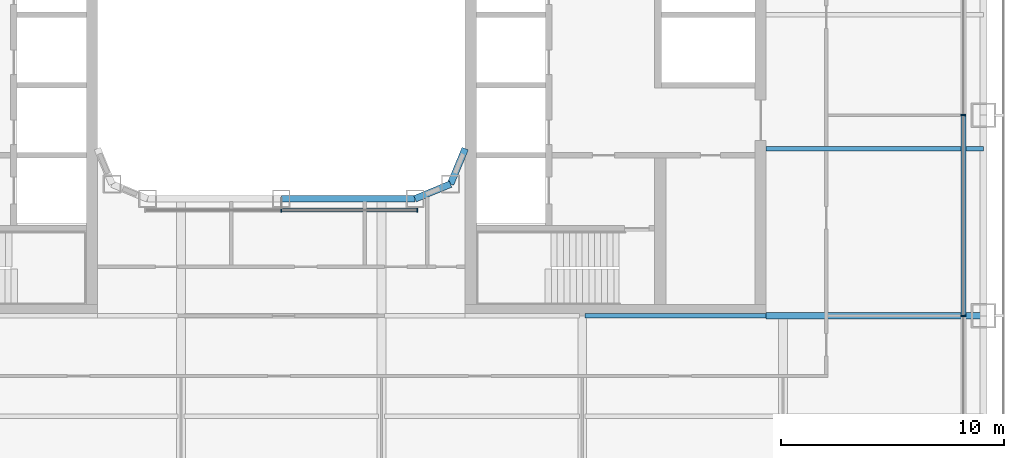
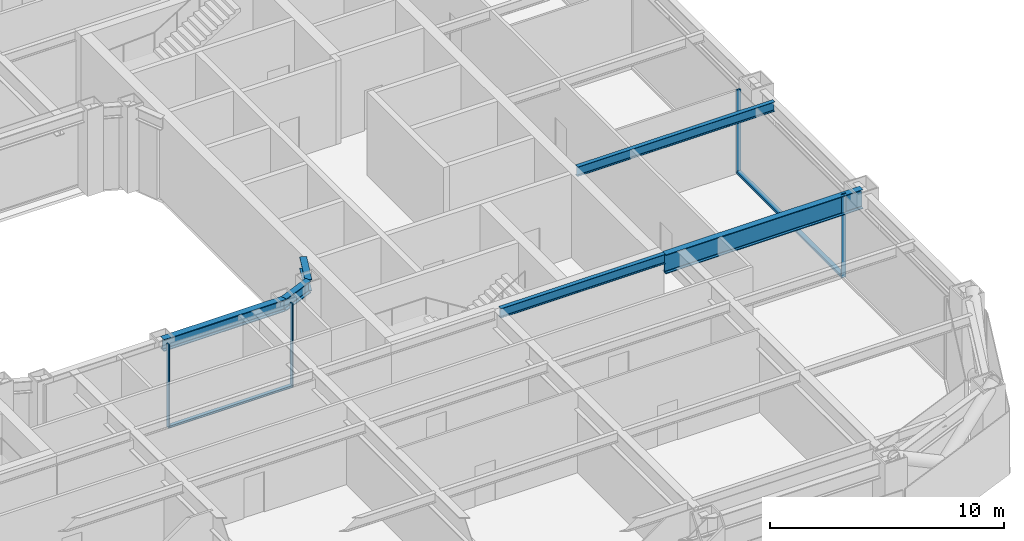
# One storey, part 5 of 27: 6 beams, 6 members, 2 elements without a shape of their own.
"""IFC4 building model written with IfcOpenShell, lengths in metres."""

from ifc_helpers import new_model, si_unit, direction, frame, origin, origin_2d, place, context, subcontext, project, spatial, rectangle, i_section, extrude, material, layer, layer_set, material_profile, profile_set, type_object, element, aggregate, save


model = new_model("IFC4")

# Units and contexts
model_context = context("Model", 3, precision=1e-05, world=origin(), true_north=direction((0.0, 1.0)))
body_context = subcontext(model_context, "Body", "Model", "MODEL_VIEW")
ifc_project = project(units=[si_unit("LENGTHUNIT", "METRE"), si_unit("AREAUNIT", "SQUARE_METRE"), si_unit("VOLUMEUNIT", "CUBIC_METRE"), si_unit("PLANEANGLEUNIT", "RADIAN"), si_unit("MASSUNIT", "GRAM", prefix="KILO")], contexts=[model_context])

# Site, building, storey
site_placement = place(None, origin())
site = spatial("IfcSite", under=ifc_project, at=site_placement, CompositionType="ELEMENT")
building_placement = place(site_placement, origin())
building = spatial("IfcBuilding", under=site, at=building_placement, Name="Siwar Civic Tower", CompositionType="ELEMENT")
storey_placement = place(building_placement, frame((0.0, 0.0, 35.699951171875)))
storey = spatial("IfcBuildingStorey", under=building, at=storey_placement, Name="L07", CompositionType="ELEMENT", Elevation=35.699951171875)

# Curtain wall, members
ifc_material_1 = material(Name="Aluminium and glass", Category="aluminium")
ifc_layer_1 = layer(ifc_material_1, 0.219970703125)
ifc_layer_set_1 = layer_set([ifc_layer_1], Name="Aluminium and glass")
curtain_wall_type_1 = type_object("IfcCurtainWallType", Name="ENV-CW-A", PredefinedType="NOTDEFINED", material=ifc_layer_set_1)
curtain_wall_1_placement = place(storey_placement, origin())
curtain_wall_1 = element("IfcCurtainWall", 1, at=curtain_wall_1_placement, inside=storey, type_object=curtain_wall_type_1, Name="Curtain wall A E", PredefinedType="NOTDEFINED")
ifc_material_2 = material(Name="Aluminium 6063-T6", Category="aluminium")
ifc_material_profile_1 = material_profile(ifc_material_2, rectangle(XDim=0.219970703125, YDim=0.070068359375, at=origin_2d()), Name="AL 220x70")
ifc_profile_set_1 = profile_set([ifc_material_profile_1], Name="Aluminium 6063-T6")
member_type_1 = type_object("IfcMemberType", Name="ENV-MULLION-A", PredefinedType="MULLION", material=ifc_profile_set_1)
member_1_placement = place(storey_placement, frame((30.60009765625, -13.5, 0.0), z_axis=(0.0, 0.0, 1.0), x_axis=(-1.0, 0.0, 0.0)))
member_1 = element("IfcMember", 2, at=member_1_placement, type_object=member_type_1, Name="Mullion A E 2", PredefinedType="MULLION", context=body_context, shape_type="SweptSolid", body=[
    extrude(rectangle(XDim=0.219970703125, YDim=0.070068359375, at=origin_2d()), origin(), (0.0, 0.0, 1.0), 4.35009765625),
])
member_2_placement = place(storey_placement, frame((30.60009765625, -4.5, 0.0), z_axis=(0.0, 0.0, 1.0), x_axis=(-1.0, 0.0, 0.0)))
member_2 = element("IfcMember", 3, at=member_2_placement, type_object=member_type_1, Name="Mullion A E 3", PredefinedType="MULLION", context=body_context, shape_type="SweptSolid", body=[
    extrude(rectangle(XDim=0.219970703125, YDim=0.070068359375, at=origin_2d()), origin(), (0.0, 0.0, 1.0), 4.35009765625),
])

ifc_material_3 = material(Name="Aluminium and glass", Category="aluminium")
ifc_layer_2 = layer(ifc_material_3, 0.179931640625)
ifc_layer_set_2 = layer_set([ifc_layer_2], Name="Aluminium and glass")
curtain_wall_type_2 = type_object("IfcCurtainWallType", Name="ENV-CW-W", PredefinedType="NOTDEFINED", material=ifc_layer_set_2)
curtain_wall_2_placement = place(storey_placement, origin())
curtain_wall_2 = element("IfcCurtainWall", 4, at=curtain_wall_2_placement, inside=storey, type_object=curtain_wall_type_2, Name="Curtain wall W WS", PredefinedType="NOTDEFINED")
ifc_material_4 = material(Name="Aluminium 6063-T6", Category="aluminium")
ifc_material_profile_2 = material_profile(ifc_material_4, rectangle(XDim=0.179931640625, YDim=0.06005859375, at=origin_2d()), Name="AL 180x60")
ifc_profile_set_2 = profile_set([ifc_material_profile_2], Name="Aluminium 6063-T6")
member_type_2 = type_object("IfcMemberType", Name="ENV-MULLION-W", PredefinedType="MULLION", material=ifc_profile_set_2)
member_3_placement = place(storey_placement, frame((0.0, -8.760009765625, 0.0), z_axis=(0.0, 0.0, 1.0), x_axis=(0.0, 1.0, 0.0)))
member_3 = element("IfcMember", 5, at=member_3_placement, type_object=member_type_2, Name="Mullion W WS 2", PredefinedType="MULLION", context=body_context, shape_type="SweptSolid", body=[
    extrude(rectangle(XDim=0.179931640625, YDim=0.06005859375, at=origin_2d()), origin(), (0.0, 0.0, 1.0), 4.35009765625),
])
member_4_placement = place(storey_placement, frame((6.1015625, -8.760009765625, 0.0), z_axis=(0.0, 0.0, 1.0), x_axis=(0.0, 1.0, 0.0)))
member_4 = element("IfcMember", 6, at=member_4_placement, type_object=member_type_2, Name="Mullion W WS 3", PredefinedType="MULLION", context=body_context, shape_type="SweptSolid", body=[
    extrude(rectangle(XDim=0.179931640625, YDim=0.06005859375, at=origin_2d()), origin(), (0.0, 0.0, 1.0), 4.35009765625),
])

# Member
ifc_material_5 = material(Name="Aluminium 6063-T6", Category="aluminium")
ifc_material_profile_3 = material_profile(ifc_material_5, rectangle(XDim=0.219970703125, YDim=0.1201171875, at=origin_2d()), Name="AL 220x120")
ifc_profile_set_3 = profile_set([ifc_material_profile_3], Name="Aluminium 6063-T6")
member_type_3 = type_object("IfcMemberType", Name="ENV-TRANSOM-A", PredefinedType="USERDEFINED", material=ifc_profile_set_3)
member_5_placement = place(storey_placement, frame((30.60009765625, -13.465087890625, 0.06005859375), z_axis=(0.0, 1.0, 0.0), x_axis=(-1.0, 0.0, 0.0)))
member_5 = element("IfcMember", 7, at=member_5_placement, type_object=member_type_3, Name="Transom A E 2", ObjectType="TRANSOM", PredefinedType="USERDEFINED", context=body_context, shape_type="SweptSolid", body=[
    extrude(rectangle(XDim=0.219970703125, YDim=0.1201171875, at=origin_2d()), origin(), (0.0, 0.0, 1.0), 8.93017578125),
])

aggregate(curtain_wall_1, [member_1, member_2, member_5])

ifc_material_6 = material(Name="Aluminium 6063-T6", Category="aluminium")
ifc_material_profile_4 = material_profile(ifc_material_6, rectangle(XDim=0.179931640625, YDim=0.10009765625, at=origin_2d()), Name="AL 180x100")
ifc_profile_set_4 = profile_set([ifc_material_profile_4], Name="Aluminium 6063-T6")
member_type_4 = type_object("IfcMemberType", Name="ENV-TRANSOM-W", PredefinedType="USERDEFINED", material=ifc_profile_set_4)
member_6_placement = place(storey_placement, frame((0.030029296875, -8.760009765625, 0.050048828125), z_axis=(1.0, 0.0, 0.0), x_axis=(0.0, 1.0, 0.0)))
member_6 = element("IfcMember", 8, at=member_6_placement, type_object=member_type_4, Name="Transom W WS 2", ObjectType="TRANSOM", PredefinedType="USERDEFINED", context=body_context, shape_type="SweptSolid", body=[
    extrude(rectangle(XDim=0.179931640625, YDim=0.10009765625, at=origin_2d()), origin(), (0.0, 0.0, 1.0), 6.04150390625),
])

aggregate(curtain_wall_2, [member_3, member_4, member_6])

# Beams
ifc_material_7 = material(Name="Steel S355", Category="steel")
ifc_material_profile_5 = material_profile(ifc_material_7, i_section(OverallWidth=0.199951171875, OverallDepth=0.5, WebThickness=0.01025390625, FlangeThickness=0.01611328125, FilletRadius=0.02099609375, at=origin_2d()), Name="IPE500")
ifc_profile_set_5 = profile_set([ifc_material_profile_5], Name="Steel S355")
beam_type_1 = type_object("IfcBeamType", Name="STR-FB-IPE500", PredefinedType="JOIST", material=ifc_profile_set_5)
beam_1_placement = place(storey_placement, frame((13.6298828125, -13.5, 4.10009765625), z_axis=(1.0, 0.0, 0.0), x_axis=(0.0, 1.0, 0.0)))
element("IfcBeam", 9, at=beam_1_placement, inside=storey, type_object=beam_type_1, Name="L07/bm/F029", PredefinedType="JOIST", context=body_context, shape_type="SweptSolid", body=[
    extrude(i_section(OverallWidth=0.199951171875, OverallDepth=0.5, WebThickness=0.01025390625, FlangeThickness=0.01611328125, FilletRadius=0.02099609375, at=origin_2d()), origin(), (0.0, 0.0, 1.0), 8.1201171875),
])
beam_2_placement = place(storey_placement, frame((21.75, -6.0, 4.10009765625), z_axis=(1.0, 0.0, 0.0), x_axis=(0.0, 1.0, 0.0)))
element("IfcBeam", 10, at=beam_2_placement, inside=storey, type_object=beam_type_1, Name="L07/bm/F032", PredefinedType="JOIST", context=body_context, shape_type="SweptSolid", body=[
    extrude(i_section(OverallWidth=0.199951171875, OverallDepth=0.5, WebThickness=0.01025390625, FlangeThickness=0.01611328125, FilletRadius=0.02099609375, at=origin_2d()), origin(), (0.0, 0.0, 1.0), 9.75),
])
ifc_material_8 = material(Name="Steel S355", Category="steel")
ifc_material_profile_6 = material_profile(ifc_material_8, i_section(OverallWidth=0.300048828125, OverallDepth=1.0, WebThickness=0.01904296875, FlangeThickness=0.035888671875, FilletRadius=0.030029296875, at=origin_2d()), Name="HEB1000")
ifc_profile_set_6 = profile_set([ifc_material_profile_6], Name="Steel S355")
beam_type_2 = type_object("IfcBeamType", Name="STR-PG-HEB1000", PredefinedType="BEAM", material=ifc_profile_set_6)
beam_3_placement = place(storey_placement, frame((21.75, -13.5, 3.85009765625), z_axis=(1.0, 0.0, 0.0), x_axis=(0.0, 1.0, 0.0)))
element("IfcBeam", 11, at=beam_3_placement, inside=storey, type_object=beam_type_2, Name="L07/bm/F030", PredefinedType="BEAM", context=body_context, shape_type="SweptSolid", body=[
    extrude(i_section(OverallWidth=0.300048828125, OverallDepth=1.0, WebThickness=0.01904296875, FlangeThickness=0.035888671875, FilletRadius=0.030029296875, at=origin_2d()), origin(), (0.0, 0.0, 1.0), 9.75),
])
ifc_material_9 = material(Name="Steel S355", Category="steel")
ifc_material_profile_7 = material_profile(ifc_material_9, i_section(OverallWidth=0.304931640625, OverallDepth=0.6201171875, WebThickness=0.02099609375, FlangeThickness=0.0400390625, FilletRadius=0.027099609375, at=origin_2d()), Name="HEM600")
ifc_profile_set_7 = profile_set([ifc_material_profile_7], Name="Steel S355")
beam_type_3 = type_object("IfcBeamType", Name="STR-RB-HEM600", PredefinedType="BEAM", material=ifc_profile_set_7)
beam_4_placement = place(storey_placement, frame((0.0, -8.25, 4.0400390625), z_axis=(1.0, 0.0, 0.0), x_axis=(0.0, 1.0, 0.0)))
element("IfcBeam", 12, at=beam_4_placement, inside=storey, type_object=beam_type_3, Name="L07/bm/RS2", PredefinedType="BEAM", context=body_context, shape_type="SweptSolid", body=[
    extrude(i_section(OverallWidth=0.304931640625, OverallDepth=0.6201171875, WebThickness=0.02099609375, FlangeThickness=0.0400390625, FilletRadius=0.027099609375, at=origin_2d()), origin(), (0.0, 0.0, 1.0), 6.0),
])
for number, where, z_axis, x_axis, name in (
    (13, (6.0, -8.25, 4.0400390625), (0.923901072997, 0.382631424892, 0.0), (-0.382631424892, 0.923901072997, 0.0), "L07/bm/RS3"),
    (14, (7.591064453125, -7.591064453125, 4.0400390625), (0.382631424892, 0.923901072997, 0.0), (-0.923901072997, 0.382631424892, 0.0), "L07/bm/RSEE"),
):
    element("IfcBeam", number, at=place(storey_placement, frame(where, z_axis=z_axis, x_axis=x_axis)), inside=storey, type_object=beam_type_3, Name=name, PredefinedType="BEAM", context=body_context, shape_type="SweptSolid", body=[
        extrude(i_section(OverallWidth=0.304931640625, OverallDepth=0.6201171875, WebThickness=0.02099609375, FlangeThickness=0.0400390625, FilletRadius=0.027099609375, at=origin_2d()), origin(), (0.0, 0.0, 1.0), 1.72216796875),
    ])

save(model, "model.ifc")
